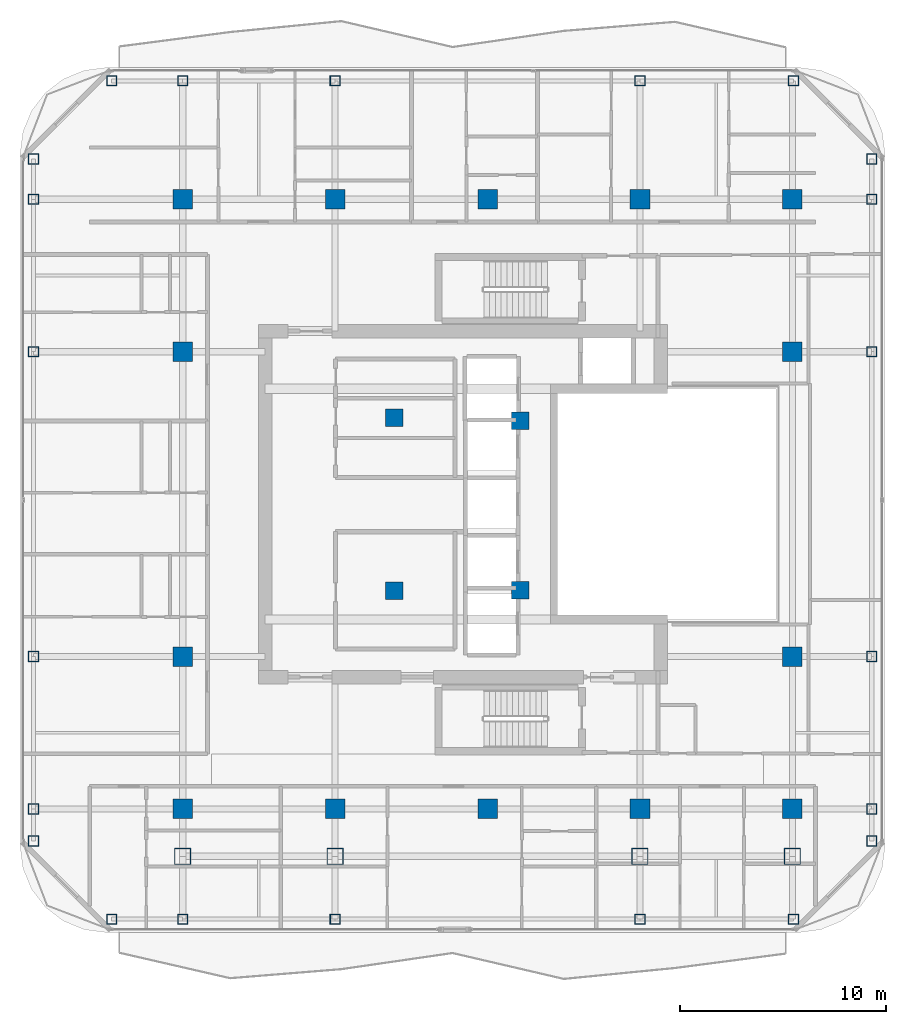
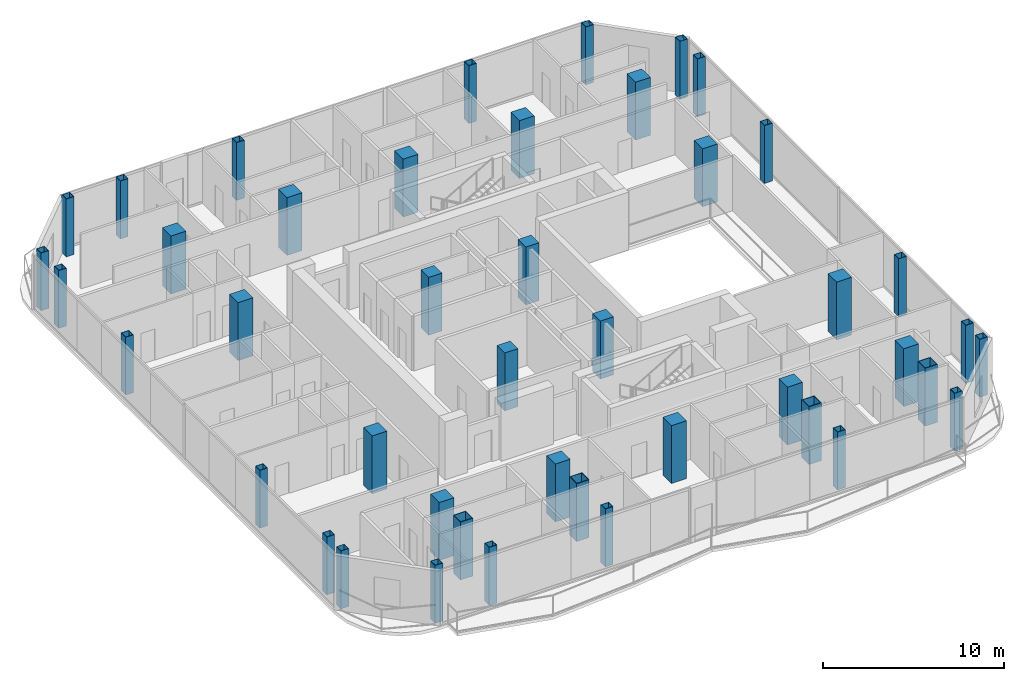
# One storey, part 1 of 23: 44 columns.
"""IFC4 building model written with IfcOpenShell, lengths in metres."""

from ifc_helpers import new_model, si_unit, direction, frame, origin, origin_2d, place, context, subcontext, project, spatial, rectangle, hollow_rectangle, extrude, material, material_profile, profile_set, type_object, element, save


model = new_model("IFC4")

# Units and contexts
model_context = context("Model", 3, precision=1e-05, world=origin(), true_north=direction((0.0, 1.0)))
body_context = subcontext(model_context, "Body", "Model", "MODEL_VIEW")
ifc_project = project(units=[si_unit("LENGTHUNIT", "METRE"), si_unit("AREAUNIT", "SQUARE_METRE"), si_unit("VOLUMEUNIT", "CUBIC_METRE"), si_unit("PLANEANGLEUNIT", "RADIAN"), si_unit("MASSUNIT", "GRAM", prefix="KILO")], contexts=[model_context])

# Site, building, storey
site_placement = place(None, origin())
site = spatial("IfcSite", under=ifc_project, at=site_placement, CompositionType="ELEMENT")
building_placement = place(site_placement, origin())
building = spatial("IfcBuilding", under=site, at=building_placement, Name="Khorvyn Point Tower", CompositionType="ELEMENT")
storey_placement = place(building_placement, frame((0.0, 0.0, 293.699951171875)))
storey = spatial("IfcBuildingStorey", under=building, at=storey_placement, Name="L72", CompositionType="ELEMENT", Elevation=293.699951171875)

# Columns
ifc_material_1 = material(Name="Concrete C40/50", Category="concrete")
ifc_material_profile_1 = material_profile(ifc_material_1, rectangle(XDim=0.85009765625, YDim=0.85009765625, at=origin_2d()))
ifc_profile_set_1 = profile_set([ifc_material_profile_1], Name="Concrete C40/50 RC850x850")
column_type_1 = type_object("IfcColumnType", Name="Concrete C40/50 Column RC850x850", PredefinedType="COLUMN", material=ifc_profile_set_1)
for number, where, z_axis, x_axis, name in (
    (1, (-4.52001953125, -4.199951171875, 0.0), (0.0, 0.0, 1.0), (1.0, 0.0, 0.0), "L72 Crown Core Spine Column 1"),
    (2, (1.580078125, -4.179931640625, 0.0), (0.0, 0.0, 1.0), (1.0, 0.0, 0.0), "L72 Crown Core Spine Column 2"),
    (3, (1.580078125, 4.050048828125, 0.0), (0.0, 0.0, 1.0), (1.0, 0.0, 0.0), "L72 Crown Core Spine Column 3"),
    (4, (-4.52001953125, 4.199951171875, 0.0), (0.0, 0.0, 1.0), (1.0, 0.0, 0.0), "L72 Crown Core Spine Column 4"),
):
    element("IfcColumn", number, at=place(storey_placement, frame(where, z_axis=z_axis, x_axis=x_axis)), inside=storey, type_object=column_type_1, Name=name, PredefinedType="COLUMN", context=body_context, shape_type="SweptSolid", body=[
        extrude(rectangle(XDim=0.85009765625, YDim=0.85009765625, at=origin_2d()), origin(), (0.0, 0.0, 1.0), 3.900146484375),
    ])
ifc_material_profile_2 = material_profile(ifc_material_1, rectangle(XDim=0.949951171875, YDim=0.949951171875, at=origin_2d()))
ifc_profile_set_2 = profile_set([ifc_material_profile_2], Name="Concrete C40/50 RC950x950")
column_type_2 = type_object("IfcColumnType", Name="Concrete C40/50 Column RC950x950", PredefinedType="COLUMN", material=ifc_profile_set_2)
for number, where, z_axis, x_axis, name in (
    (5, (-14.800048828125, -14.800048828125, 0.0), (0.0, 0.0, 1.0), (1.0, 0.0, 0.0), "L72 Mega-Column MC-01"),
    (6, (-7.39990234375, -14.800048828125, 0.0), (0.0, 0.0, 1.0), (1.0, 0.0, 0.0), "L72 Mega-Column MC-02"),
    (7, (0.0, -14.800048828125, 0.0), (0.0, 0.0, 1.0), (1.0, 0.0, 0.0), "L72 Mega-Column MC-03"),
    (8, (7.39990234375, -14.800048828125, 0.0), (0.0, 0.0, 1.0), (1.0, 0.0, 0.0), "L72 Mega-Column MC-04"),
    (9, (14.800048828125, -14.800048828125, 0.0), (0.0, 0.0, 1.0), (1.0, 0.0, 0.0), "L72 Mega-Column MC-05"),
    (10, (-14.800048828125, 14.800048828125, 0.0), (0.0, 0.0, 1.0), (1.0, 0.0, 0.0), "L72 Mega-Column MC-06"),
    (11, (-7.39990234375, 14.800048828125, 0.0), (0.0, 0.0, 1.0), (1.0, 0.0, 0.0), "L72 Mega-Column MC-07"),
    (12, (0.0, 14.800048828125, 0.0), (0.0, 0.0, 1.0), (1.0, 0.0, 0.0), "L72 Mega-Column MC-08"),
    (13, (7.39990234375, 14.800048828125, 0.0), (0.0, 0.0, 1.0), (1.0, 0.0, 0.0), "L72 Mega-Column MC-09"),
    (14, (14.800048828125, 14.800048828125, 0.0), (0.0, 0.0, 1.0), (1.0, 0.0, 0.0), "L72 Mega-Column MC-10"),
    (15, (-14.800048828125, -7.39990234375, 0.0), (0.0, 0.0, 1.0), (1.0, 0.0, 0.0), "L72 Mega-Column MC-11"),
    (16, (-14.800048828125, 7.39990234375, 0.0), (0.0, 0.0, 1.0), (1.0, 0.0, 0.0), "L72 Mega-Column MC-12"),
    (17, (14.800048828125, -7.39990234375, 0.0), (0.0, 0.0, 1.0), (1.0, 0.0, 0.0), "L72 Mega-Column MC-13"),
    (18, (14.800048828125, 7.39990234375, 0.0), (0.0, 0.0, 1.0), (1.0, 0.0, 0.0), "L72 Mega-Column MC-14"),
):
    element("IfcColumn", number, at=place(storey_placement, frame(where, z_axis=z_axis, x_axis=x_axis)), inside=storey, type_object=column_type_2, Name=name, PredefinedType="COLUMN", context=body_context, shape_type="SweptSolid", body=[
        extrude(rectangle(XDim=0.949951171875, YDim=0.949951171875, at=origin_2d()), origin(), (0.0, 0.0, 1.0), 3.900146484375),
    ])
ifc_material_2 = material(Name="Steel S355", Category="steel")
ifc_material_profile_3 = material_profile(ifc_material_2, hollow_rectangle(XDim=0.5, YDim=0.5, WallThickness=0.02490234375, at=origin_2d()))
ifc_profile_set_3 = profile_set([ifc_material_profile_3], Name="Steel S355 BOX500x500x25")
column_type_3 = type_object("IfcColumnType", Name="Steel S355 Structural Column BOX500x500x25", PredefinedType="COLUMN", material=ifc_profile_set_3)
for number, where, z_axis, x_axis, name in (
    (19, (-18.25, -20.14990234375, 0.0), (0.0, 0.0, 1.0), (1.0, 0.0, 0.0), "L72 Perimeter Tube Column TC-01"),
    (20, (14.85009765625, -20.14990234375, 0.0), (0.0, 0.0, 1.0), (1.0, 0.0, 0.0), "L72 Perimeter Tube Column TC-02"),
    (21, (-18.25, 20.550048828125, 0.0), (0.0, 0.0, 1.0), (1.0, 0.0, 0.0), "L72 Perimeter Tube Column TC-03"),
    (22, (14.85009765625, 20.550048828125, 0.0), (0.0, 0.0, 1.0), (1.0, 0.0, 0.0), "L72 Perimeter Tube Column TC-04"),
    (23, (-22.050048828125, -16.35009765625, 0.0), (0.0, 0.0, 1.0), (1.0, 0.0, 0.0), "L72 Perimeter Tube Column TC-05"),
    (24, (-22.050048828125, 16.75, 0.0), (0.0, 0.0, 1.0), (1.0, 0.0, 0.0), "L72 Perimeter Tube Column TC-06"),
    (25, (18.64990234375, -16.35009765625, 0.0), (0.0, 0.0, 1.0), (1.0, 0.0, 0.0), "L72 Perimeter Tube Column TC-07"),
    (26, (18.64990234375, 16.75, 0.0), (0.0, 0.0, 1.0), (1.0, 0.0, 0.0), "L72 Perimeter Tube Column TC-08"),
    (27, (-14.800048828125, -20.14990234375, 0.0), (0.0, 0.0, 1.0), (1.0, 0.0, 0.0), "L72 Perimeter Tube Column TC-09"),
    (28, (-14.800048828125, 20.550048828125, 0.0), (0.0, 0.0, 1.0), (1.0, 0.0, 0.0), "L72 Perimeter Tube Column TC-10"),
    (29, (-7.39990234375, -20.14990234375, 0.0), (0.0, 0.0, 1.0), (1.0, 0.0, 0.0), "L72 Perimeter Tube Column TC-11"),
    (30, (-7.39990234375, 20.550048828125, 0.0), (0.0, 0.0, 1.0), (1.0, 0.0, 0.0), "L72 Perimeter Tube Column TC-12"),
    (31, (7.39990234375, -20.14990234375, 0.0), (0.0, 0.0, 1.0), (1.0, 0.0, 0.0), "L72 Perimeter Tube Column TC-13"),
    (32, (7.39990234375, 20.550048828125, 0.0), (0.0, 0.0, 1.0), (1.0, 0.0, 0.0), "L72 Perimeter Tube Column TC-14"),
    (33, (-22.050048828125, -14.800048828125, 0.0), (0.0, 0.0, 1.0), (1.0, 0.0, 0.0), "L72 Perimeter Tube Column TC-15"),
    (34, (18.64990234375, -14.800048828125, 0.0), (0.0, 0.0, 1.0), (1.0, 0.0, 0.0), "L72 Perimeter Tube Column TC-16"),
    (35, (-22.050048828125, -7.39990234375, 0.0), (0.0, 0.0, 1.0), (1.0, 0.0, 0.0), "L72 Perimeter Tube Column TC-17"),
    (36, (18.64990234375, -7.39990234375, 0.0), (0.0, 0.0, 1.0), (1.0, 0.0, 0.0), "L72 Perimeter Tube Column TC-18"),
    (37, (-22.050048828125, 7.39990234375, 0.0), (0.0, 0.0, 1.0), (1.0, 0.0, 0.0), "L72 Perimeter Tube Column TC-19"),
    (38, (18.64990234375, 7.39990234375, 0.0), (0.0, 0.0, 1.0), (1.0, 0.0, 0.0), "L72 Perimeter Tube Column TC-20"),
    (39, (-22.050048828125, 14.800048828125, 0.0), (0.0, 0.0, 1.0), (1.0, 0.0, 0.0), "L72 Perimeter Tube Column TC-21"),
    (40, (18.64990234375, 14.800048828125, 0.0), (0.0, 0.0, 1.0), (1.0, 0.0, 0.0), "L72 Perimeter Tube Column TC-22"),
):
    element("IfcColumn", number, at=place(storey_placement, frame(where, z_axis=z_axis, x_axis=x_axis)), inside=storey, type_object=column_type_3, Name=name, PredefinedType="COLUMN", context=body_context, shape_type="SweptSolid", body=[
        extrude(hollow_rectangle(XDim=0.5, YDim=0.5, WallThickness=0.02490234375, at=origin_2d()), origin(), (0.0, 0.0, 1.0), 3.900146484375),
    ])
ifc_material_3 = material(Name="Steel S450", Category="steel")
ifc_material_profile_4 = material_profile(ifc_material_3, hollow_rectangle(XDim=0.800048828125, YDim=0.800048828125, WallThickness=0.035888671875, at=origin_2d()))
ifc_profile_set_4 = profile_set([ifc_material_profile_4], Name="Steel S450 BOX800x800x36")
column_type_4 = type_object("IfcColumnType", Name="Steel S450 Structural Column BOX800x800x36", PredefinedType="COLUMN", material=ifc_profile_set_4)
for number, where, z_axis, x_axis, name in (
    (41, (-14.800048828125, -17.10009765625, 0.0), (0.0, 0.0, 1.0), (1.0, 0.0, 0.0), "L72 Intermediate Column ICS--14"),
    (42, (-7.39990234375, -17.10009765625, 0.0), (0.0, 0.0, 1.0), (1.0, 0.0, 0.0), "L72 Intermediate Column ICS--7"),
    (43, (7.39990234375, -17.10009765625, 0.0), (0.0, 0.0, 1.0), (1.0, 0.0, 0.0), "L72 Intermediate Column ICS-7"),
    (44, (14.800048828125, -17.10009765625, 0.0), (0.0, 0.0, 1.0), (1.0, 0.0, 0.0), "L72 Intermediate Column ICS-14"),
):
    element("IfcColumn", number, at=place(storey_placement, frame(where, z_axis=z_axis, x_axis=x_axis)), inside=storey, type_object=column_type_4, Name=name, PredefinedType="COLUMN", context=body_context, shape_type="SweptSolid", body=[
        extrude(hollow_rectangle(XDim=0.800048828125, YDim=0.800048828125, WallThickness=0.035888671875, at=origin_2d()), origin(), (0.0, 0.0, 1.0), 3.900146484375),
    ])

save(model, "model.ifc")
